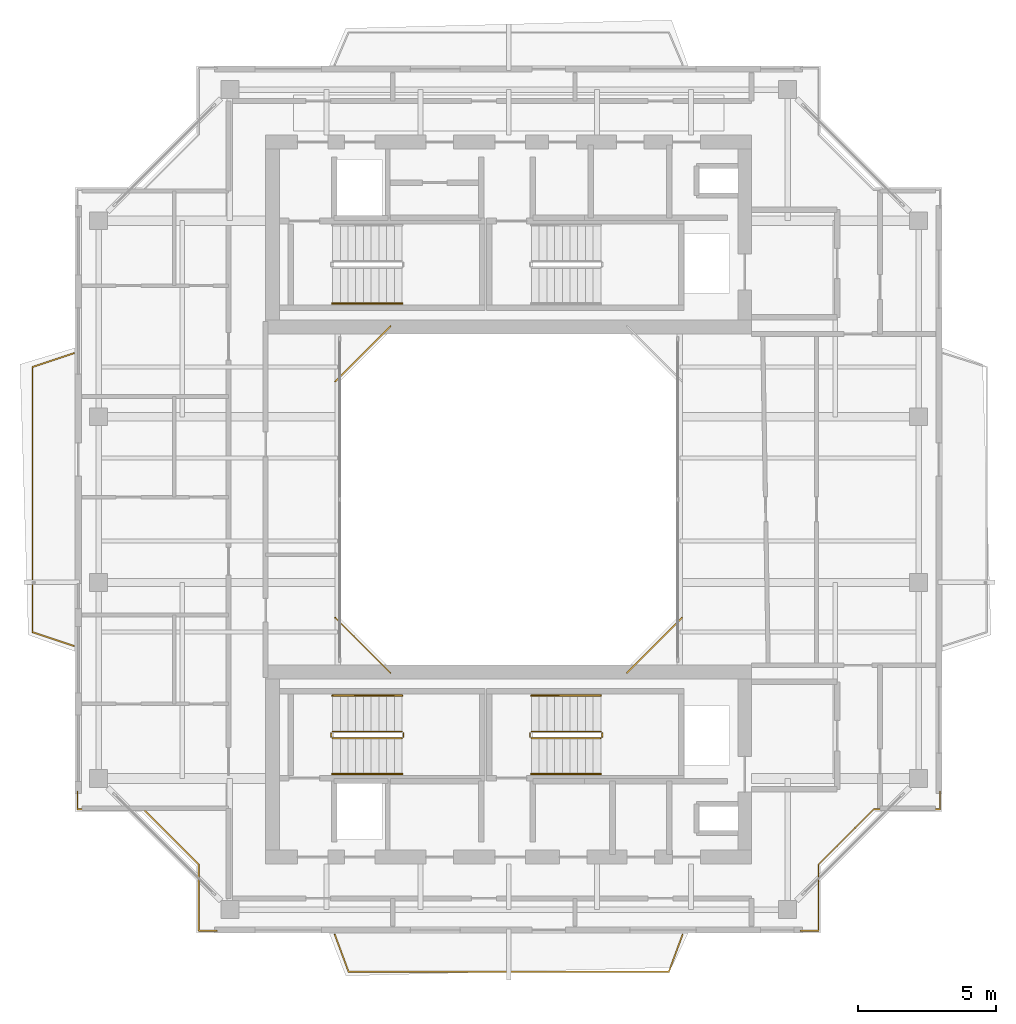
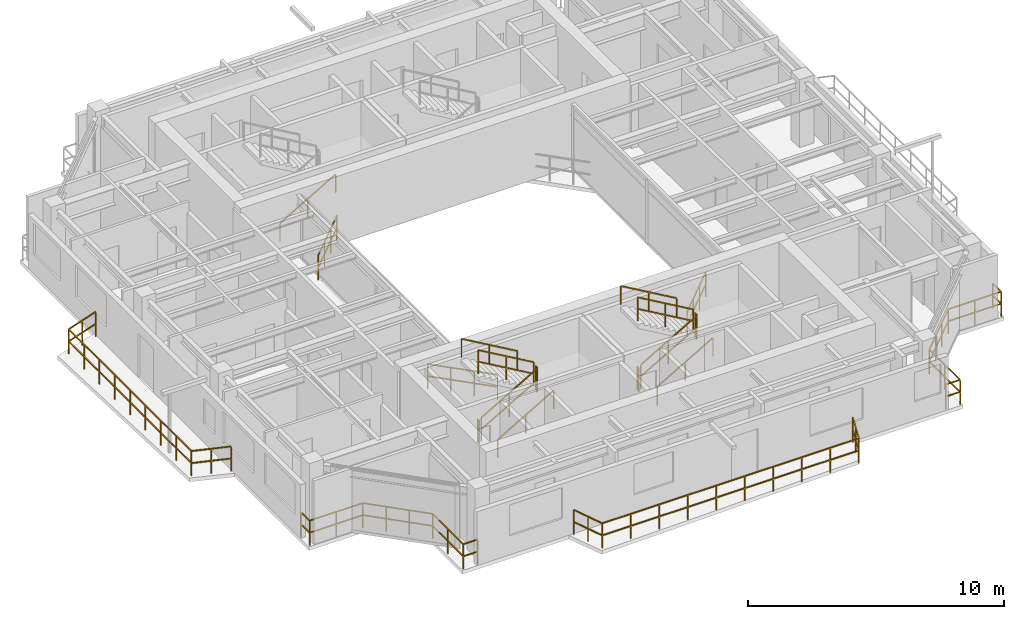
# One storey, part 13 of 14: 20 railings.
"""IFC4 building model written with IfcOpenShell, lengths in metres."""

from ifc_helpers import new_model, si_unit, direction, frame, origin, origin_2d, place, context, subcontext, project, spatial, rectangle, extrude, material, type_object, element, save


model = new_model("IFC4")

# Units and contexts
model_context = context("Model", 3, precision=1e-05, world=origin(), true_north=direction((0.0, 1.0)))
body_context = subcontext(model_context, "Body", "Model", "MODEL_VIEW")
ifc_project = project(units=[si_unit("LENGTHUNIT", "METRE"), si_unit("AREAUNIT", "SQUARE_METRE"), si_unit("VOLUMEUNIT", "CUBIC_METRE"), si_unit("PLANEANGLEUNIT", "RADIAN"), si_unit("MASSUNIT", "GRAM", prefix="KILO"), si_unit("THERMODYNAMICTEMPERATUREUNIT", "KELVIN"), si_unit("POWERUNIT", "WATT")], contexts=[model_context])

# Site, building, storey
site_placement = place(None, origin())
site = spatial("IfcSite", under=ifc_project, at=site_placement, CompositionType="ELEMENT")
building_placement = place(site_placement, origin())
building = spatial("IfcBuilding", under=site, at=building_placement, Name="Qiaomeng Ring Towers", CompositionType="ELEMENT")
storey_placement = place(building_placement, frame((0.0, 0.0, 260.0)))
storey = spatial("IfcBuildingStorey", under=building, at=storey_placement, Name="L76", CompositionType="ELEMENT", Elevation=260.0)

# Railings
ifc_material_1 = material(Name="Low-E pale-green laminated safety glass", Category="glass")
railing_type_1 = type_object("IfcRailingType", Name="ARC-RL-BAL1", PredefinedType="BALUSTRADE", material=ifc_material_1)
railing_1_placement = place(storey_placement, frame((23.280029296875, 16.719970703125, 0.0)))
element("IfcRailing", 1, at=railing_1_placement, inside=storey, type_object=railing_type_1, Name="L76 Balustrade ARC-BAL-WELL1-L76-1", PredefinedType="BALUSTRADE", context=body_context, shape_type="SweptSolid", body=[
    extrude(rectangle(XDim=0.048095703125, YDim=0.048095703125, at=origin_2d()), frame((0.0, 0.0, 1.17578125), z_axis=(0.707106781187, 0.707106781187, 0.0), x_axis=(-0.707106781187, 0.707106781187, 0.0)), (0.0, 0.0, 1.0), 2.828369140625),
    extrude(rectangle(XDim=0.048095703125, YDim=0.048095703125, at=origin_2d()), frame((0.0, 0.0, 0.60009765625), z_axis=(0.707106781187, 0.707106781187, 0.0), x_axis=(-0.707106781187, 0.707106781187, 0.0)), (0.0, 0.0, 1.0), 2.828369140625),
    extrude(rectangle(XDim=0.0419921875, YDim=0.0419921875, at=origin_2d()), origin(), (0.0, 0.0, 1.0), 1.15185546875),
    extrude(rectangle(XDim=0.0419921875, YDim=0.0419921875, at=origin_2d()), frame((0.666748046875, 0.666748046875, 0.0)), (0.0, 0.0, 1.0), 1.15185546875),
    extrude(rectangle(XDim=0.0419921875, YDim=0.0419921875, at=origin_2d()), frame((1.333251953125, 1.333251953125, 0.0)), (0.0, 0.0, 1.0), 1.15185546875),
    extrude(rectangle(XDim=0.0419921875, YDim=0.0419921875, at=origin_2d()), frame((2.0, 2.0, 0.0)), (0.0, 0.0, 1.0), 1.15185546875),
])
railing_2_placement = place(storey_placement, frame((14.719970703125, 29.280029296875, 0.0)))
element("IfcRailing", 2, at=railing_2_placement, inside=storey, type_object=railing_type_1, Name="L76 Balustrade ARC-BAL-WELL1-L76-3", PredefinedType="BALUSTRADE", context=body_context, shape_type="SweptSolid", body=[
    extrude(rectangle(XDim=0.048095703125, YDim=0.048095703125, at=origin_2d()), frame((0.0, 0.0, 1.17578125), z_axis=(-0.707106781187, -0.707106781187, 0.0), x_axis=(0.707106781187, -0.707106781187, 0.0)), (0.0, 0.0, 1.0), 2.828369140625),
    extrude(rectangle(XDim=0.048095703125, YDim=0.048095703125, at=origin_2d()), frame((0.0, 0.0, 0.60009765625), z_axis=(-0.707106781187, -0.707106781187, 0.0), x_axis=(0.707106781187, -0.707106781187, 0.0)), (0.0, 0.0, 1.0), 2.828369140625),
    extrude(rectangle(XDim=0.0419921875, YDim=0.0419921875, at=origin_2d()), origin(), (0.0, 0.0, 1.0), 1.15185546875),
    extrude(rectangle(XDim=0.0419921875, YDim=0.0419921875, at=origin_2d()), frame((-0.666748046875, -0.666748046875, 0.0)), (0.0, 0.0, 1.0), 1.15185546875),
    extrude(rectangle(XDim=0.0419921875, YDim=0.0419921875, at=origin_2d()), frame((-1.333251953125, -1.333251953125, 0.0)), (0.0, 0.0, 1.0), 1.15185546875),
    extrude(rectangle(XDim=0.0419921875, YDim=0.0419921875, at=origin_2d()), frame((-2.0, -2.0, 0.0)), (0.0, 0.0, 1.0), 1.15185546875),
])
railing_3_placement = place(storey_placement, frame((12.719970703125, 18.719970703125, 0.0)))
element("IfcRailing", 3, at=railing_3_placement, inside=storey, type_object=railing_type_1, Name="L76 Balustrade ARC-BAL-WELL1-L76-4", PredefinedType="BALUSTRADE", context=body_context, shape_type="SweptSolid", body=[
    extrude(rectangle(XDim=0.048095703125, YDim=0.048095703125, at=origin_2d()), frame((0.0, 0.0, 1.17578125), z_axis=(0.707106781187, -0.707106781187, 0.0), x_axis=(0.707106781187, 0.707106781187, 0.0)), (0.0, 0.0, 1.0), 2.828369140625),
    extrude(rectangle(XDim=0.048095703125, YDim=0.048095703125, at=origin_2d()), frame((0.0, 0.0, 0.60009765625), z_axis=(0.707106781187, -0.707106781187, 0.0), x_axis=(0.707106781187, 0.707106781187, 0.0)), (0.0, 0.0, 1.0), 2.828369140625),
    extrude(rectangle(XDim=0.0419921875, YDim=0.0419921875, at=origin_2d()), origin(), (0.0, 0.0, 1.0), 1.15185546875),
    extrude(rectangle(XDim=0.0419921875, YDim=0.0419921875, at=origin_2d()), frame((0.666748046875, -0.666748046875, 0.0)), (0.0, 0.0, 1.0), 1.15185546875),
    extrude(rectangle(XDim=0.0419921875, YDim=0.0419921875, at=origin_2d()), frame((1.333251953125, -1.333251953125, 0.0)), (0.0, 0.0, 1.0), 1.15185546875),
    extrude(rectangle(XDim=0.0419921875, YDim=0.0419921875, at=origin_2d()), frame((2.0, -2.0, 0.0)), (0.0, 0.0, 1.0), 1.15185546875),
])
railing_4_placement = place(storey_placement, frame((29.570068359375, 7.3798828125, 0.0)))
element("IfcRailing", 4, at=railing_4_placement, inside=storey, type_object=railing_type_1, Name="L76 Balustrade ARC-BAL-NOTCH1-L76-SE", PredefinedType="BALUSTRADE", context=body_context, shape_type="SweptSolid", body=[
    extrude(rectangle(XDim=0.048095703125, YDim=0.048095703125, at=origin_2d()), frame((0.0, 0.0, 1.17578125), z_axis=(1.0, 0.0, 0.0), x_axis=(0.0, 1.0, 0.0)), (0.0, 0.0, 1.0), 0.64990234375),
    extrude(rectangle(XDim=0.048095703125, YDim=0.048095703125, at=origin_2d()), frame((0.0, 0.0, 0.60009765625), z_axis=(1.0, 0.0, 0.0), x_axis=(0.0, 1.0, 0.0)), (0.0, 0.0, 1.0), 0.64990234375),
    extrude(rectangle(XDim=0.048095703125, YDim=0.048095703125, at=origin_2d()), frame((0.64990234375, 0.0, 1.17578125), z_axis=(0.0, 1.0, 0.0), x_axis=(-1.0, 0.0, 0.0)), (0.0, 0.0, 1.0), 2.400146484375),
    extrude(rectangle(XDim=0.048095703125, YDim=0.048095703125, at=origin_2d()), frame((0.64990234375, 0.0, 0.60009765625), z_axis=(0.0, 1.0, 0.0), x_axis=(-1.0, 0.0, 0.0)), (0.0, 0.0, 1.0), 2.400146484375),
    extrude(rectangle(XDim=0.048095703125, YDim=0.048095703125, at=origin_2d()), frame((0.64990234375, 2.400146484375, 1.17578125), z_axis=(0.707106781187, 0.707106781187, 0.0), x_axis=(-0.707106781187, 0.707106781187, 0.0)), (0.0, 0.0, 1.0), 2.828369140625),
    extrude(rectangle(XDim=0.048095703125, YDim=0.048095703125, at=origin_2d()), frame((0.64990234375, 2.400146484375, 0.60009765625), z_axis=(0.707106781187, 0.707106781187, 0.0), x_axis=(-0.707106781187, 0.707106781187, 0.0)), (0.0, 0.0, 1.0), 2.828369140625),
    extrude(rectangle(XDim=0.048095703125, YDim=0.048095703125, at=origin_2d()), frame((2.64990234375, 4.400146484375, 1.17578125), z_axis=(1.0, 0.0, 0.0), x_axis=(0.0, 1.0, 0.0)), (0.0, 0.0, 1.0), 2.400146484375),
    extrude(rectangle(XDim=0.048095703125, YDim=0.048095703125, at=origin_2d()), frame((2.64990234375, 4.400146484375, 0.60009765625), z_axis=(1.0, 0.0, 0.0), x_axis=(0.0, 1.0, 0.0)), (0.0, 0.0, 1.0), 2.400146484375),
    extrude(rectangle(XDim=0.048095703125, YDim=0.048095703125, at=origin_2d()), frame((5.050048828125, 4.400146484375, 1.17578125), z_axis=(0.0, 1.0, 0.0), x_axis=(-1.0, 0.0, 0.0)), (0.0, 0.0, 1.0), 0.64990234375),
    extrude(rectangle(XDim=0.048095703125, YDim=0.048095703125, at=origin_2d()), frame((5.050048828125, 4.400146484375, 0.60009765625), z_axis=(0.0, 1.0, 0.0), x_axis=(-1.0, 0.0, 0.0)), (0.0, 0.0, 1.0), 0.64990234375),
    extrude(rectangle(XDim=0.0419921875, YDim=0.0419921875, at=origin_2d()), origin(), (0.0, 0.0, 1.0), 1.15185546875),
    extrude(rectangle(XDim=0.0419921875, YDim=0.0419921875, at=origin_2d()), frame((0.64990234375, 0.0, 0.0)), (0.0, 0.0, 1.0), 1.15185546875),
    extrude(rectangle(XDim=0.0419921875, YDim=0.0419921875, at=origin_2d()), frame((0.64990234375, 1.2001953125, 0.0)), (0.0, 0.0, 1.0), 1.15185546875),
    extrude(rectangle(XDim=0.0419921875, YDim=0.0419921875, at=origin_2d()), frame((0.64990234375, 2.400146484375, 0.0)), (0.0, 0.0, 1.0), 1.15185546875),
    extrude(rectangle(XDim=0.0419921875, YDim=0.0419921875, at=origin_2d()), frame((1.316650390625, 3.06689453125, 0.0)), (0.0, 0.0, 1.0), 1.15185546875),
    extrude(rectangle(XDim=0.0419921875, YDim=0.0419921875, at=origin_2d()), frame((1.983154296875, 3.7333984375, 0.0)), (0.0, 0.0, 1.0), 1.15185546875),
    extrude(rectangle(XDim=0.0419921875, YDim=0.0419921875, at=origin_2d()), frame((2.64990234375, 4.400146484375, 0.0)), (0.0, 0.0, 1.0), 1.15185546875),
    extrude(rectangle(XDim=0.0419921875, YDim=0.0419921875, at=origin_2d()), frame((3.85009765625, 4.400146484375, 0.0)), (0.0, 0.0, 1.0), 1.15185546875),
    extrude(rectangle(XDim=0.0419921875, YDim=0.0419921875, at=origin_2d()), frame((5.050048828125, 4.400146484375, 0.0)), (0.0, 0.0, 1.0), 1.15185546875),
    extrude(rectangle(XDim=0.0419921875, YDim=0.0419921875, at=origin_2d()), frame((5.050048828125, 5.050048828125, 0.0)), (0.0, 0.0, 1.0), 1.15185546875),
])
railing_5_placement = place(storey_placement, frame((3.3798828125, 12.429931640625, 0.0)))
element("IfcRailing", 5, at=railing_5_placement, inside=storey, type_object=railing_type_1, Name="L76 Balustrade ARC-BAL-NOTCH1-L76-SW", PredefinedType="BALUSTRADE", context=body_context, shape_type="SweptSolid", body=[
    extrude(rectangle(XDim=0.048095703125, YDim=0.048095703125, at=origin_2d()), frame((0.0, 0.0, 1.17578125), z_axis=(0.0, -1.0, 0.0), x_axis=(1.0, 0.0, 0.0)), (0.0, 0.0, 1.0), 0.64990234375),
    extrude(rectangle(XDim=0.048095703125, YDim=0.048095703125, at=origin_2d()), frame((0.0, 0.0, 0.60009765625), z_axis=(0.0, -1.0, 0.0), x_axis=(1.0, 0.0, 0.0)), (0.0, 0.0, 1.0), 0.64990234375),
    extrude(rectangle(XDim=0.048095703125, YDim=0.048095703125, at=origin_2d()), frame((0.0, -0.64990234375, 1.17578125), z_axis=(1.0, 0.0, 0.0), x_axis=(0.0, 1.0, 0.0)), (0.0, 0.0, 1.0), 2.400146484375),
    extrude(rectangle(XDim=0.048095703125, YDim=0.048095703125, at=origin_2d()), frame((0.0, -0.64990234375, 0.60009765625), z_axis=(1.0, 0.0, 0.0), x_axis=(0.0, 1.0, 0.0)), (0.0, 0.0, 1.0), 2.400146484375),
    extrude(rectangle(XDim=0.048095703125, YDim=0.048095703125, at=origin_2d()), frame((2.400146484375, -0.64990234375, 1.17578125), z_axis=(0.707106781187, -0.707106781187, 0.0), x_axis=(0.707106781187, 0.707106781187, 0.0)), (0.0, 0.0, 1.0), 2.828369140625),
    extrude(rectangle(XDim=0.048095703125, YDim=0.048095703125, at=origin_2d()), frame((2.400146484375, -0.64990234375, 0.60009765625), z_axis=(0.707106781187, -0.707106781187, 0.0), x_axis=(0.707106781187, 0.707106781187, 0.0)), (0.0, 0.0, 1.0), 2.828369140625),
    extrude(rectangle(XDim=0.048095703125, YDim=0.048095703125, at=origin_2d()), frame((4.400146484375, -2.64990234375, 1.17578125), z_axis=(0.0, -1.0, 0.0), x_axis=(1.0, 0.0, 0.0)), (0.0, 0.0, 1.0), 2.400146484375),
    extrude(rectangle(XDim=0.048095703125, YDim=0.048095703125, at=origin_2d()), frame((4.400146484375, -2.64990234375, 0.60009765625), z_axis=(0.0, -1.0, 0.0), x_axis=(1.0, 0.0, 0.0)), (0.0, 0.0, 1.0), 2.400146484375),
    extrude(rectangle(XDim=0.048095703125, YDim=0.048095703125, at=origin_2d()), frame((4.400146484375, -5.050048828125, 1.17578125), z_axis=(1.0, 0.0, 0.0), x_axis=(0.0, 1.0, 0.0)), (0.0, 0.0, 1.0), 0.64990234375),
    extrude(rectangle(XDim=0.048095703125, YDim=0.048095703125, at=origin_2d()), frame((4.400146484375, -5.050048828125, 0.60009765625), z_axis=(1.0, 0.0, 0.0), x_axis=(0.0, 1.0, 0.0)), (0.0, 0.0, 1.0), 0.64990234375),
    extrude(rectangle(XDim=0.0419921875, YDim=0.0419921875, at=origin_2d()), origin(), (0.0, 0.0, 1.0), 1.15185546875),
    extrude(rectangle(XDim=0.0419921875, YDim=0.0419921875, at=origin_2d()), frame((0.0, -0.64990234375, 0.0)), (0.0, 0.0, 1.0), 1.15185546875),
    extrude(rectangle(XDim=0.0419921875, YDim=0.0419921875, at=origin_2d()), frame((1.2001953125, -0.64990234375, 0.0)), (0.0, 0.0, 1.0), 1.15185546875),
    extrude(rectangle(XDim=0.0419921875, YDim=0.0419921875, at=origin_2d()), frame((2.400146484375, -0.64990234375, 0.0)), (0.0, 0.0, 1.0), 1.15185546875),
    extrude(rectangle(XDim=0.0419921875, YDim=0.0419921875, at=origin_2d()), frame((3.06689453125, -1.316650390625, 0.0)), (0.0, 0.0, 1.0), 1.15185546875),
    extrude(rectangle(XDim=0.0419921875, YDim=0.0419921875, at=origin_2d()), frame((3.7333984375, -1.983154296875, 0.0)), (0.0, 0.0, 1.0), 1.15185546875),
    extrude(rectangle(XDim=0.0419921875, YDim=0.0419921875, at=origin_2d()), frame((4.400146484375, -2.64990234375, 0.0)), (0.0, 0.0, 1.0), 1.15185546875),
    extrude(rectangle(XDim=0.0419921875, YDim=0.0419921875, at=origin_2d()), frame((4.400146484375, -3.85009765625, 0.0)), (0.0, 0.0, 1.0), 1.15185546875),
    extrude(rectangle(XDim=0.0419921875, YDim=0.0419921875, at=origin_2d()), frame((4.400146484375, -5.050048828125, 0.0)), (0.0, 0.0, 1.0), 1.15185546875),
    extrude(rectangle(XDim=0.0419921875, YDim=0.0419921875, at=origin_2d()), frame((5.050048828125, -5.050048828125, 0.0)), (0.0, 0.0, 1.0), 1.15185546875),
])
railing_6_placement = place(storey_placement, frame((12.699951171875, 7.25, 0.0)))
element("IfcRailing", 6, at=railing_6_placement, inside=storey, type_object=railing_type_1, Name="L76 Balustrade ARC-BAL-L76-T1-S", PredefinedType="BALUSTRADE", context=body_context, shape_type="SweptSolid", body=[
    extrude(rectangle(XDim=0.048095703125, YDim=0.048095703125, at=origin_2d()), frame((0.0, 0.0, 1.17578125), z_axis=(0.34729226376, -0.937756942673, 0.0), x_axis=(0.937756942673, 0.34729226376, 0.0)), (0.0, 0.0, 1.0), 1.439697265625),
    extrude(rectangle(XDim=0.048095703125, YDim=0.048095703125, at=origin_2d()), frame((0.0, 0.0, 0.60009765625), z_axis=(0.34729226376, -0.937756942673, 0.0), x_axis=(0.937756942673, 0.34729226376, 0.0)), (0.0, 0.0, 1.0), 1.439697265625),
    extrude(rectangle(XDim=0.048095703125, YDim=0.048095703125, at=origin_2d()), frame((0.5, -1.35009765625, 1.17578125), z_axis=(1.0, 0.0, 0.0), x_axis=(0.0, 1.0, 0.0)), (0.0, 0.0, 1.0), 11.60009765625),
    extrude(rectangle(XDim=0.048095703125, YDim=0.048095703125, at=origin_2d()), frame((0.5, -1.35009765625, 0.60009765625), z_axis=(1.0, 0.0, 0.0), x_axis=(0.0, 1.0, 0.0)), (0.0, 0.0, 1.0), 11.60009765625),
    extrude(rectangle(XDim=0.048095703125, YDim=0.048095703125, at=origin_2d()), frame((12.10009765625, -1.35009765625, 1.17578125), z_axis=(0.34729226376, 0.937756942673, 0.0), x_axis=(-0.937756942673, 0.34729226376, 0.0)), (0.0, 0.0, 1.0), 1.439697265625),
    extrude(rectangle(XDim=0.048095703125, YDim=0.048095703125, at=origin_2d()), frame((12.10009765625, -1.35009765625, 0.60009765625), z_axis=(0.34729226376, 0.937756942673, 0.0), x_axis=(-0.937756942673, 0.34729226376, 0.0)), (0.0, 0.0, 1.0), 1.439697265625),
    extrude(rectangle(XDim=0.0419921875, YDim=0.0419921875, at=origin_2d()), origin(), (0.0, 0.0, 1.0), 1.15185546875),
    extrude(rectangle(XDim=0.0419921875, YDim=0.0419921875, at=origin_2d()), frame((0.25, -0.675048828125, 0.0)), (0.0, 0.0, 1.0), 1.15185546875),
    extrude(rectangle(XDim=0.0419921875, YDim=0.0419921875, at=origin_2d()), frame((0.5, -1.35009765625, 0.0)), (0.0, 0.0, 1.0), 1.15185546875),
    extrude(rectangle(XDim=0.0419921875, YDim=0.0419921875, at=origin_2d()), frame((1.788818359375, -1.35009765625, 0.0)), (0.0, 0.0, 1.0), 1.15185546875),
    extrude(rectangle(XDim=0.0419921875, YDim=0.0419921875, at=origin_2d()), frame((3.077880859375, -1.35009765625, 0.0)), (0.0, 0.0, 1.0), 1.15185546875),
    extrude(rectangle(XDim=0.0419921875, YDim=0.0419921875, at=origin_2d()), frame((4.36669921875, -1.35009765625, 0.0)), (0.0, 0.0, 1.0), 1.15185546875),
    extrude(rectangle(XDim=0.0419921875, YDim=0.0419921875, at=origin_2d()), frame((5.655517578125, -1.35009765625, 0.0)), (0.0, 0.0, 1.0), 1.15185546875),
    extrude(rectangle(XDim=0.0419921875, YDim=0.0419921875, at=origin_2d()), frame((6.944580078125, -1.35009765625, 0.0)), (0.0, 0.0, 1.0), 1.15185546875),
    extrude(rectangle(XDim=0.0419921875, YDim=0.0419921875, at=origin_2d()), frame((8.2333984375, -1.35009765625, 0.0)), (0.0, 0.0, 1.0), 1.15185546875),
    extrude(rectangle(XDim=0.0419921875, YDim=0.0419921875, at=origin_2d()), frame((9.522216796875, -1.35009765625, 0.0)), (0.0, 0.0, 1.0), 1.15185546875),
    extrude(rectangle(XDim=0.0419921875, YDim=0.0419921875, at=origin_2d()), frame((10.811279296875, -1.35009765625, 0.0)), (0.0, 0.0, 1.0), 1.15185546875),
    extrude(rectangle(XDim=0.0419921875, YDim=0.0419921875, at=origin_2d()), frame((12.10009765625, -1.35009765625, 0.0)), (0.0, 0.0, 1.0), 1.15185546875),
    extrude(rectangle(XDim=0.0419921875, YDim=0.0419921875, at=origin_2d()), frame((12.35009765625, -0.675048828125, 0.0)), (0.0, 0.0, 1.0), 1.15185546875),
    extrude(rectangle(XDim=0.0419921875, YDim=0.0419921875, at=origin_2d()), frame((12.60009765625, 0.0, 0.0)), (0.0, 0.0, 1.0), 1.15185546875),
])
railing_7_placement = place(storey_placement, frame((3.25, 17.699951171875, 0.0)))
element("IfcRailing", 7, at=railing_7_placement, inside=storey, type_object=railing_type_1, Name="L76 Balustrade ARC-BAL-L76-T1-W", PredefinedType="BALUSTRADE", context=body_context, shape_type="SweptSolid", body=[
    extrude(rectangle(XDim=0.048095703125, YDim=0.048095703125, at=origin_2d()), frame((0.0, 0.0, 1.17578125), z_axis=(-0.948683298051, 0.316227766017, 0.0), x_axis=(-0.316227766017, -0.948683298051, 0.0)), (0.0, 0.0, 1.0), 1.5810546875),
    extrude(rectangle(XDim=0.048095703125, YDim=0.048095703125, at=origin_2d()), frame((0.0, 0.0, 0.60009765625), z_axis=(-0.948683298051, 0.316227766017, 0.0), x_axis=(-0.316227766017, -0.948683298051, 0.0)), (0.0, 0.0, 1.0), 1.5810546875),
    extrude(rectangle(XDim=0.048095703125, YDim=0.048095703125, at=origin_2d()), frame((-1.5, 0.5, 1.17578125), z_axis=(0.0, 1.0, 0.0), x_axis=(-1.0, 0.0, 0.0)), (0.0, 0.0, 1.0), 9.60009765625),
    extrude(rectangle(XDim=0.048095703125, YDim=0.048095703125, at=origin_2d()), frame((-1.5, 0.5, 0.60009765625), z_axis=(0.0, 1.0, 0.0), x_axis=(-1.0, 0.0, 0.0)), (0.0, 0.0, 1.0), 9.60009765625),
    extrude(rectangle(XDim=0.048095703125, YDim=0.048095703125, at=origin_2d()), frame((-1.5, 10.10009765625, 1.17578125), z_axis=(0.948683298051, 0.316227766017, 0.0), x_axis=(-0.316227766017, 0.948683298051, 0.0)), (0.0, 0.0, 1.0), 1.5810546875),
    extrude(rectangle(XDim=0.048095703125, YDim=0.048095703125, at=origin_2d()), frame((-1.5, 10.10009765625, 0.60009765625), z_axis=(0.948683298051, 0.316227766017, 0.0), x_axis=(-0.316227766017, 0.948683298051, 0.0)), (0.0, 0.0, 1.0), 1.5810546875),
    extrude(rectangle(XDim=0.0419921875, YDim=0.0419921875, at=origin_2d()), origin(), (0.0, 0.0, 1.0), 1.15185546875),
    extrude(rectangle(XDim=0.0419921875, YDim=0.0419921875, at=origin_2d()), frame((-0.75, 0.25, 0.0)), (0.0, 0.0, 1.0), 1.15185546875),
    extrude(rectangle(XDim=0.0419921875, YDim=0.0419921875, at=origin_2d()), frame((-1.5, 0.5, 0.0)), (0.0, 0.0, 1.0), 1.15185546875),
    extrude(rectangle(XDim=0.0419921875, YDim=0.0419921875, at=origin_2d()), frame((-1.5, 1.699951171875, 0.0)), (0.0, 0.0, 1.0), 1.15185546875),
    extrude(rectangle(XDim=0.0419921875, YDim=0.0419921875, at=origin_2d()), frame((-1.5, 2.89990234375, 0.0)), (0.0, 0.0, 1.0), 1.15185546875),
    extrude(rectangle(XDim=0.0419921875, YDim=0.0419921875, at=origin_2d()), frame((-1.5, 4.10009765625, 0.0)), (0.0, 0.0, 1.0), 1.15185546875),
    extrude(rectangle(XDim=0.0419921875, YDim=0.0419921875, at=origin_2d()), frame((-1.5, 5.300048828125, 0.0)), (0.0, 0.0, 1.0), 1.15185546875),
    extrude(rectangle(XDim=0.0419921875, YDim=0.0419921875, at=origin_2d()), frame((-1.5, 6.5, 0.0)), (0.0, 0.0, 1.0), 1.15185546875),
    extrude(rectangle(XDim=0.0419921875, YDim=0.0419921875, at=origin_2d()), frame((-1.5, 7.7001953125, 0.0)), (0.0, 0.0, 1.0), 1.15185546875),
    extrude(rectangle(XDim=0.0419921875, YDim=0.0419921875, at=origin_2d()), frame((-1.5, 8.900146484375, 0.0)), (0.0, 0.0, 1.0), 1.15185546875),
    extrude(rectangle(XDim=0.0419921875, YDim=0.0419921875, at=origin_2d()), frame((-1.5, 10.10009765625, 0.0)), (0.0, 0.0, 1.0), 1.15185546875),
    extrude(rectangle(XDim=0.0419921875, YDim=0.0419921875, at=origin_2d()), frame((-0.75, 10.35009765625, 0.0)), (0.0, 0.0, 1.0), 1.15185546875),
    extrude(rectangle(XDim=0.0419921875, YDim=0.0419921875, at=origin_2d()), frame((0.0, 10.60009765625, 0.0)), (0.0, 0.0, 1.0), 1.15185546875),
])
ifc_material_2 = material(Name="Galvanised steel", Category="steel")
railing_type_2 = type_object("IfcRailingType", Name="ARC-RL-GUARD", PredefinedType="GUARDRAIL", material=ifc_material_2)
railing_8_placement = place(storey_placement, frame((12.6201171875, 14.360107421875, 0.16259765625)))
element("IfcRailing", 8, at=railing_8_placement, inside=storey, type_object=railing_type_2, Name="L76 ST3 stair guard 1", PredefinedType="GUARDRAIL", context=body_context, shape_type="SweptSolid", body=[
    extrude(rectangle(XDim=0.048095703125, YDim=0.048095703125, at=origin_2d()), frame((0.0, 0.0, 1.1259765625), z_axis=(0.864892226395, 0.0, 0.501957604506), x_axis=(0.0, 1.0, 0.0)), (0.0, 0.0, 1.0), 2.913330078125),
    extrude(rectangle(XDim=0.048095703125, YDim=0.048095703125, at=origin_2d()), frame((0.0, 0.0, 0.574951171875), z_axis=(0.864892226395, 0.0, 0.501957604506), x_axis=(0.0, 1.0, 0.0)), (0.0, 0.0, 1.0), 2.913330078125),
    extrude(rectangle(XDim=0.0419921875, YDim=0.0419921875, at=origin_2d()), origin(), (0.0, 0.0, 1.0), 1.101806640625),
    extrude(rectangle(XDim=0.0419921875, YDim=0.0419921875, at=origin_2d()), frame((1.259765625, 0.0, 0.731201171875)), (0.0, 0.0, 1.0), 1.101806640625),
    extrude(rectangle(XDim=0.0419921875, YDim=0.0419921875, at=origin_2d()), frame((2.519775390625, 0.0, 1.46240234375)), (0.0, 0.0, 1.0), 1.101806640625),
])
railing_9_placement = place(storey_placement, frame((15.18994140625, 14.409912109375, 1.625)))
element("IfcRailing", 9, at=railing_9_placement, inside=storey, type_object=railing_type_2, Name="L76 ST3 stair guard 2", PredefinedType="GUARDRAIL", context=body_context, shape_type="SweptSolid", body=[
    extrude(rectangle(XDim=0.048095703125, YDim=0.048095703125, at=origin_2d()), frame((0.0, 0.0, 1.1259765625), z_axis=(0.0, 1.0, 0.0), x_axis=(-1.0, 0.0, 0.0)), (0.0, 0.0, 1.0), 0.14013671875),
    extrude(rectangle(XDim=0.048095703125, YDim=0.048095703125, at=origin_2d()), frame((0.0, 0.0, 0.574951171875), z_axis=(0.0, 1.0, 0.0), x_axis=(-1.0, 0.0, 0.0)), (0.0, 0.0, 1.0), 0.14013671875),
    extrude(rectangle(XDim=0.0419921875, YDim=0.0419921875, at=origin_2d()), origin(), (0.0, 0.0, 1.0), 1.101806640625),
    extrude(rectangle(XDim=0.0419921875, YDim=0.0419921875, at=origin_2d()), frame((0.0, 0.14013671875, 0.0)), (0.0, 0.0, 1.0), 1.101806640625),
])
railing_10_placement = place(storey_placement, frame((15.139892578125, 14.60009765625, 1.78759765625)))
element("IfcRailing", 10, at=railing_10_placement, inside=storey, type_object=railing_type_2, Name="L76 ST3 stair guard 3", PredefinedType="GUARDRAIL", context=body_context, shape_type="SweptSolid", body=[
    extrude(rectangle(XDim=0.048095703125, YDim=0.048095703125, at=origin_2d()), frame((0.0, 0.0, 1.1259765625), z_axis=(-0.864892226395, 0.0, 0.501957604506), x_axis=(0.0, -1.0, 0.0)), (0.0, 0.0, 1.0), 2.913330078125),
    extrude(rectangle(XDim=0.048095703125, YDim=0.048095703125, at=origin_2d()), frame((0.0, 0.0, 0.574951171875), z_axis=(-0.864892226395, 0.0, 0.501957604506), x_axis=(0.0, -1.0, 0.0)), (0.0, 0.0, 1.0), 2.913330078125),
    extrude(rectangle(XDim=0.0419921875, YDim=0.0419921875, at=origin_2d()), origin(), (0.0, 0.0, 1.0), 1.101806640625),
    extrude(rectangle(XDim=0.0419921875, YDim=0.0419921875, at=origin_2d()), frame((-1.259765625, 0.0, 0.731201171875)), (0.0, 0.0, 1.0), 1.101806640625),
    extrude(rectangle(XDim=0.0419921875, YDim=0.0419921875, at=origin_2d()), frame((-2.519775390625, 0.0, 1.46240234375)), (0.0, 0.0, 1.0), 1.101806640625),
])
railing_11_placement = place(storey_placement, frame((12.570068359375, 14.409912109375, 0.0)))
element("IfcRailing", 11, at=railing_11_placement, inside=storey, type_object=railing_type_2, Name="L76 ST3 stair guard 4", PredefinedType="GUARDRAIL", context=body_context, shape_type="SweptSolid", body=[
    extrude(rectangle(XDim=0.048095703125, YDim=0.048095703125, at=origin_2d()), frame((0.0, 0.0, 1.1259765625), z_axis=(0.0, 1.0, 0.0), x_axis=(-1.0, 0.0, 0.0)), (0.0, 0.0, 1.0), 0.14013671875),
    extrude(rectangle(XDim=0.048095703125, YDim=0.048095703125, at=origin_2d()), frame((0.0, 0.0, 0.574951171875), z_axis=(0.0, 1.0, 0.0), x_axis=(-1.0, 0.0, 0.0)), (0.0, 0.0, 1.0), 0.14013671875),
    extrude(rectangle(XDim=0.0419921875, YDim=0.0419921875, at=origin_2d()), origin(), (0.0, 0.0, 1.0), 1.101806640625),
    extrude(rectangle(XDim=0.0419921875, YDim=0.0419921875, at=origin_2d()), frame((0.0, 0.14013671875, 0.0)), (0.0, 0.0, 1.0), 1.101806640625),
])
railing_12_placement = place(storey_placement, frame((19.820068359375, 14.360107421875, 0.16259765625)))
element("IfcRailing", 12, at=railing_12_placement, inside=storey, type_object=railing_type_2, Name="L76 ST4 stair guard 1", PredefinedType="GUARDRAIL", context=body_context, shape_type="SweptSolid", body=[
    extrude(rectangle(XDim=0.048095703125, YDim=0.048095703125, at=origin_2d()), frame((0.0, 0.0, 1.1259765625), z_axis=(0.864913338283, 0.0, 0.50192122615), x_axis=(0.0, 1.0, 0.0)), (0.0, 0.0, 1.0), 2.91357421875),
    extrude(rectangle(XDim=0.048095703125, YDim=0.048095703125, at=origin_2d()), frame((0.0, 0.0, 0.574951171875), z_axis=(0.864913338283, 0.0, 0.50192122615), x_axis=(0.0, 1.0, 0.0)), (0.0, 0.0, 1.0), 2.91357421875),
    extrude(rectangle(XDim=0.0419921875, YDim=0.0419921875, at=origin_2d()), origin(), (0.0, 0.0, 1.0), 1.101806640625),
    extrude(rectangle(XDim=0.0419921875, YDim=0.0419921875, at=origin_2d()), frame((1.260009765625, 0.0, 0.731201171875)), (0.0, 0.0, 1.0), 1.101806640625),
    extrude(rectangle(XDim=0.0419921875, YDim=0.0419921875, at=origin_2d()), frame((2.52001953125, 0.0, 1.46240234375)), (0.0, 0.0, 1.0), 1.101806640625),
])
railing_13_placement = place(storey_placement, frame((22.389892578125, 14.409912109375, 1.625)))
element("IfcRailing", 13, at=railing_13_placement, inside=storey, type_object=railing_type_2, Name="L76 ST4 stair guard 2", PredefinedType="GUARDRAIL", context=body_context, shape_type="SweptSolid", body=[
    extrude(rectangle(XDim=0.048095703125, YDim=0.048095703125, at=origin_2d()), frame((0.0, 0.0, 1.1259765625), z_axis=(0.0, 1.0, 0.0), x_axis=(-1.0, 0.0, 0.0)), (0.0, 0.0, 1.0), 0.14013671875),
    extrude(rectangle(XDim=0.048095703125, YDim=0.048095703125, at=origin_2d()), frame((0.0, 0.0, 0.574951171875), z_axis=(0.0, 1.0, 0.0), x_axis=(-1.0, 0.0, 0.0)), (0.0, 0.0, 1.0), 0.14013671875),
    extrude(rectangle(XDim=0.0419921875, YDim=0.0419921875, at=origin_2d()), origin(), (0.0, 0.0, 1.0), 1.101806640625),
    extrude(rectangle(XDim=0.0419921875, YDim=0.0419921875, at=origin_2d()), frame((0.0, 0.14013671875, 0.0)), (0.0, 0.0, 1.0), 1.101806640625),
])
railing_14_placement = place(storey_placement, frame((22.340087890625, 14.60009765625, 1.78759765625)))
element("IfcRailing", 14, at=railing_14_placement, inside=storey, type_object=railing_type_2, Name="L76 ST4 stair guard 3", PredefinedType="GUARDRAIL", context=body_context, shape_type="SweptSolid", body=[
    extrude(rectangle(XDim=0.048095703125, YDim=0.048095703125, at=origin_2d()), frame((0.0, 0.0, 1.1259765625), z_axis=(-0.864913338283, 0.0, 0.50192122615), x_axis=(0.0, -1.0, 0.0)), (0.0, 0.0, 1.0), 2.91357421875),
    extrude(rectangle(XDim=0.048095703125, YDim=0.048095703125, at=origin_2d()), frame((0.0, 0.0, 0.574951171875), z_axis=(-0.864913338283, 0.0, 0.50192122615), x_axis=(0.0, -1.0, 0.0)), (0.0, 0.0, 1.0), 2.91357421875),
    extrude(rectangle(XDim=0.0419921875, YDim=0.0419921875, at=origin_2d()), origin(), (0.0, 0.0, 1.0), 1.101806640625),
    extrude(rectangle(XDim=0.0419921875, YDim=0.0419921875, at=origin_2d()), frame((-1.260009765625, 0.0, 0.731201171875)), (0.0, 0.0, 1.0), 1.101806640625),
    extrude(rectangle(XDim=0.0419921875, YDim=0.0419921875, at=origin_2d()), frame((-2.52001953125, 0.0, 1.46240234375)), (0.0, 0.0, 1.0), 1.101806640625),
])
railing_15_placement = place(storey_placement, frame((19.77001953125, 14.409912109375, 0.0)))
element("IfcRailing", 15, at=railing_15_placement, inside=storey, type_object=railing_type_2, Name="L76 ST4 stair guard 4", PredefinedType="GUARDRAIL", context=body_context, shape_type="SweptSolid", body=[
    extrude(rectangle(XDim=0.048095703125, YDim=0.048095703125, at=origin_2d()), frame((0.0, 0.0, 1.1259765625), z_axis=(0.0, 1.0, 0.0), x_axis=(-1.0, 0.0, 0.0)), (0.0, 0.0, 1.0), 0.14013671875),
    extrude(rectangle(XDim=0.048095703125, YDim=0.048095703125, at=origin_2d()), frame((0.0, 0.0, 0.574951171875), z_axis=(0.0, 1.0, 0.0), x_axis=(-1.0, 0.0, 0.0)), (0.0, 0.0, 1.0), 0.14013671875),
    extrude(rectangle(XDim=0.0419921875, YDim=0.0419921875, at=origin_2d()), origin(), (0.0, 0.0, 1.0), 1.101806640625),
    extrude(rectangle(XDim=0.0419921875, YDim=0.0419921875, at=origin_2d()), frame((0.0, 0.14013671875, 0.0)), (0.0, 0.0, 1.0), 1.101806640625),
])
ifc_material_3 = material(Name="Stainless steel 316", Category="steel")
railing_type_3 = type_object("IfcRailingType", Name="ARC-RL-HAND", PredefinedType="HANDRAIL", material=ifc_material_3)
for number, where, name in (
    (16, (12.6201171875, 30.10009765625, 0.16259765625), "L76 ST1 stair handrail 1"),
    (17, (12.6201171875, 13.06005859375, 0.16259765625), "L76 ST3 stair handrail 1"),
):
    element("IfcRailing", number, at=place(storey_placement, frame(where)), inside=storey, type_object=railing_type_3, Name=name, PredefinedType="HANDRAIL", context=body_context, shape_type="SweptSolid", body=[
        extrude(rectangle(XDim=0.048095703125, YDim=0.048095703125, at=origin_2d()), frame((0.0, 0.0, 0.8759765625), z_axis=(0.864892226395, 0.0, 0.501957604506), x_axis=(0.0, 1.0, 0.0)), (0.0, 0.0, 1.0), 2.913330078125),
        extrude(rectangle(XDim=0.0419921875, YDim=0.0419921875, at=origin_2d()), origin(), (0.0, 0.0, 1.0), 0.851806640625),
        extrude(rectangle(XDim=0.0419921875, YDim=0.0419921875, at=origin_2d()), frame((1.259765625, 0.0, 0.731201171875)), (0.0, 0.0, 1.0), 0.851806640625),
        extrude(rectangle(XDim=0.0419921875, YDim=0.0419921875, at=origin_2d()), frame((2.519775390625, 0.0, 1.46240234375)), (0.0, 0.0, 1.0), 0.851806640625),
    ])
railing_16_placement = place(storey_placement, frame((15.139892578125, 15.89990234375, 1.78759765625)))
element("IfcRailing", 18, at=railing_16_placement, inside=storey, type_object=railing_type_3, Name="L76 ST3 stair handrail 2", PredefinedType="HANDRAIL", context=body_context, shape_type="SweptSolid", body=[
    extrude(rectangle(XDim=0.048095703125, YDim=0.048095703125, at=origin_2d()), frame((0.0, 0.0, 0.8759765625), z_axis=(-0.864892226395, 0.0, 0.501957604506), x_axis=(0.0, -1.0, 0.0)), (0.0, 0.0, 1.0), 2.913330078125),
    extrude(rectangle(XDim=0.0419921875, YDim=0.0419921875, at=origin_2d()), origin(), (0.0, 0.0, 1.0), 0.851806640625),
    extrude(rectangle(XDim=0.0419921875, YDim=0.0419921875, at=origin_2d()), frame((-1.259765625, 0.0, 0.731201171875)), (0.0, 0.0, 1.0), 0.851806640625),
    extrude(rectangle(XDim=0.0419921875, YDim=0.0419921875, at=origin_2d()), frame((-2.519775390625, 0.0, 1.46240234375)), (0.0, 0.0, 1.0), 0.851806640625),
])
railing_17_placement = place(storey_placement, frame((19.820068359375, 13.06005859375, 0.16259765625)))
element("IfcRailing", 19, at=railing_17_placement, inside=storey, type_object=railing_type_3, Name="L76 ST4 stair handrail 1", PredefinedType="HANDRAIL", context=body_context, shape_type="SweptSolid", body=[
    extrude(rectangle(XDim=0.048095703125, YDim=0.048095703125, at=origin_2d()), frame((0.0, 0.0, 0.8759765625), z_axis=(0.864913338283, 0.0, 0.50192122615), x_axis=(0.0, 1.0, 0.0)), (0.0, 0.0, 1.0), 2.91357421875),
    extrude(rectangle(XDim=0.0419921875, YDim=0.0419921875, at=origin_2d()), origin(), (0.0, 0.0, 1.0), 0.851806640625),
    extrude(rectangle(XDim=0.0419921875, YDim=0.0419921875, at=origin_2d()), frame((1.260009765625, 0.0, 0.731201171875)), (0.0, 0.0, 1.0), 0.851806640625),
    extrude(rectangle(XDim=0.0419921875, YDim=0.0419921875, at=origin_2d()), frame((2.52001953125, 0.0, 1.46240234375)), (0.0, 0.0, 1.0), 0.851806640625),
])
railing_18_placement = place(storey_placement, frame((22.340087890625, 15.89990234375, 1.78759765625)))
element("IfcRailing", 20, at=railing_18_placement, inside=storey, type_object=railing_type_3, Name="L76 ST4 stair handrail 2", PredefinedType="HANDRAIL", context=body_context, shape_type="SweptSolid", body=[
    extrude(rectangle(XDim=0.048095703125, YDim=0.048095703125, at=origin_2d()), frame((0.0, 0.0, 0.8759765625), z_axis=(-0.864913338283, 0.0, 0.50192122615), x_axis=(0.0, -1.0, 0.0)), (0.0, 0.0, 1.0), 2.91357421875),
    extrude(rectangle(XDim=0.0419921875, YDim=0.0419921875, at=origin_2d()), origin(), (0.0, 0.0, 1.0), 0.851806640625),
    extrude(rectangle(XDim=0.0419921875, YDim=0.0419921875, at=origin_2d()), frame((-1.260009765625, 0.0, 0.731201171875)), (0.0, 0.0, 1.0), 0.851806640625),
    extrude(rectangle(XDim=0.0419921875, YDim=0.0419921875, at=origin_2d()), frame((-2.52001953125, 0.0, 1.46240234375)), (0.0, 0.0, 1.0), 0.851806640625),
])

save(model, "model.ifc")
